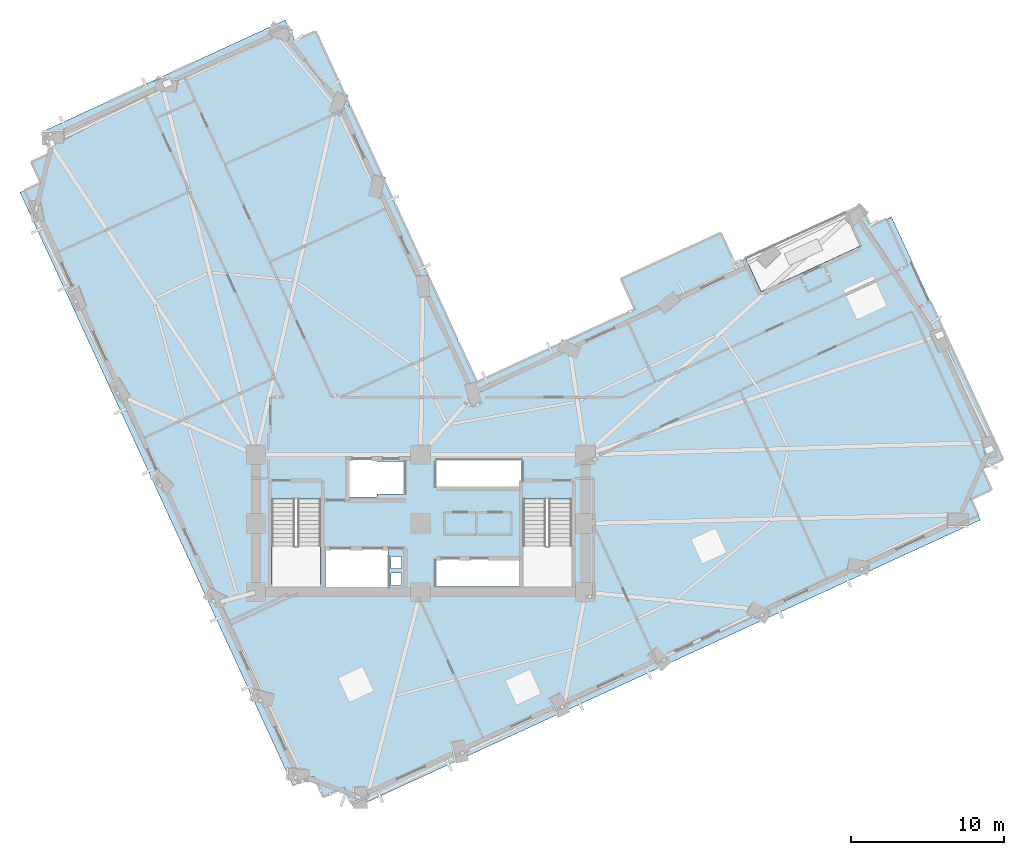
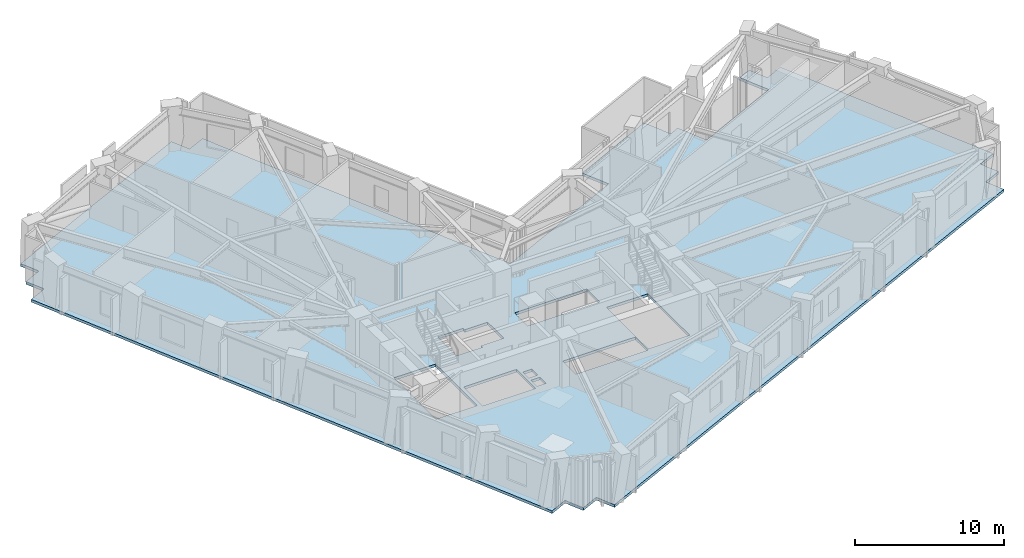
# One storey, part 4 of 16: 1 slab.
"""IFC4 building model written with IfcOpenShell, lengths in metres."""

from ifc_helpers import new_model, si_unit, direction, frame, origin, place, context, subcontext, project, spatial, polyline, outline, extrude, material, layer, layer_set, type_object, element, save


model = new_model("IFC4")

# Units and contexts
model_context = context("Model", 3, precision=1e-05, world=origin(), true_north=direction((0.0, 1.0)))
body_context = subcontext(model_context, "Body", "Model", "MODEL_VIEW")
ifc_project = project(units=[si_unit("LENGTHUNIT", "METRE"), si_unit("AREAUNIT", "SQUARE_METRE"), si_unit("VOLUMEUNIT", "CUBIC_METRE"), si_unit("PLANEANGLEUNIT", "RADIAN"), si_unit("MASSUNIT", "GRAM", prefix="KILO")], contexts=[model_context])

# Site, building, storey
site_placement = place(None, origin())
site = spatial("IfcSite", under=ifc_project, at=site_placement, CompositionType="ELEMENT")
building_placement = place(site_placement, origin())
building = spatial("IfcBuilding", under=site, at=building_placement, Name="Gaonmaruhae Medical Tower", CompositionType="ELEMENT")
storey_placement = place(building_placement, frame((0.0, 0.0, 128.39990234375)))
storey = spatial("IfcBuildingStorey", under=building, at=storey_placement, Name="L30", CompositionType="ELEMENT", Elevation=128.39990234375)

# Slab
ifc_material = material(Name="Concrete C40/50", Category="concrete")
ifc_layer = layer(ifc_material, 0.219970703125)
ifc_layer_set = layer_set([ifc_layer], Name="Concrete C40/50")
slab_type = type_object("IfcSlabType", Name="FS-220 Clinical Ward Composite Floor Slab", PredefinedType="FLOOR", material=ifc_layer_set)
slab_placement = place(storey_placement, frame((0.0, 0.0, -0.219970703125)))
element("IfcSlab", 1, at=slab_placement, inside=storey, type_object=slab_type, Name="L30 Structural Slab 1", PredefinedType="FLOOR", context=body_context, shape_type="SweptSolid", body=[
    extrude(outline(polyline([(54.275634765625, 31.778076171875), (55.638427734375, 32.40478515625), (62.951171875, 16.506103515625), (61.58837890625, 15.87939453125), (62.215087890625, 14.5166015625), (60.852294921875, 13.8896484375), (61.479248046875, 12.52685546875), (20.414794921875, -6.360595703125), (19.787841796875, -4.997802734375), (18.425048828125, -5.624755859375), (17.79833984375, -4.261962890625), (16.435546875, -4.888671875), (-1.44921875, 33.995361328125), (-0.08642578125, 34.622314453125), (-0.713134765625, 35.985107421875), (0.649658203125, 36.61181640625), (0.022705078125, 37.974609375), (15.921630859375, 45.287109375), (16.54833984375, 43.92431640625), (17.9111328125, 44.55126953125), (28.483154296875, 21.56591796875), (38.840087890625, 26.32958984375), (37.9208984375, 28.328369140625), (44.462158203125, 31.3369140625), (45.381591796875, 29.33837890625), (46.1083984375, 29.672607421875), (47.111083984375, 27.4921875), (53.65234375, 30.500732421875), (52.649658203125, 32.681396484375), (53.64892578125, 33.140869140625), (54.275634765625, 31.778076171875)]), holes=[polyline([(23.550048828125, 8.25), (22.85009765625, 8.25), (22.85009765625, 9.050048828125), (23.550048828125, 9.050048828125), (23.550048828125, 8.25)]), polyline([(25.824951171875, 9.925048828125), (31.425048828125, 9.925048828125), (31.425048828125, 8.175048828125), (25.824951171875, 8.175048828125), (25.824951171875, 9.925048828125)]), polyline([(22.64990234375, 10.625), (22.64990234375, 8.074951171875), (18.550048828125, 8.074951171875), (18.550048828125, 10.625), (22.64990234375, 10.625)]), polyline([(23.550048828125, 9.35009765625), (22.85009765625, 9.35009765625), (22.85009765625, 10.14990234375), (23.550048828125, 10.14990234375), (23.550048828125, 9.35009765625)]), polyline([(15.050048828125, 13.889892578125), (18.25, 13.889892578125), (18.25, 8.300048828125), (15.050048828125, 8.300048828125), (15.050048828125, 13.889892578125)]), polyline([(31.5, 13.889892578125), (34.699951171875, 13.889892578125), (34.699951171875, 8.300048828125), (31.5, 8.300048828125), (31.5, 13.889892578125)]), polyline([(21.949951171875, 14.22509765625), (21.949951171875, 14.02490234375), (19.949951171875, 14.02490234375), (19.949951171875, 16.574951171875), (21.949951171875, 16.574951171875), (21.949951171875, 16.375), (23.72509765625, 16.375), (23.72509765625, 14.22509765625), (21.949951171875, 14.22509765625)]), polyline([(25.824951171875, 16.425048828125), (31.425048828125, 16.425048828125), (31.425048828125, 14.675048828125), (25.824951171875, 14.675048828125), (25.824951171875, 16.425048828125)])]), origin(), (0.0, 0.0, 1.0), 0.219970703125),
])

save(model, "model.ifc")
